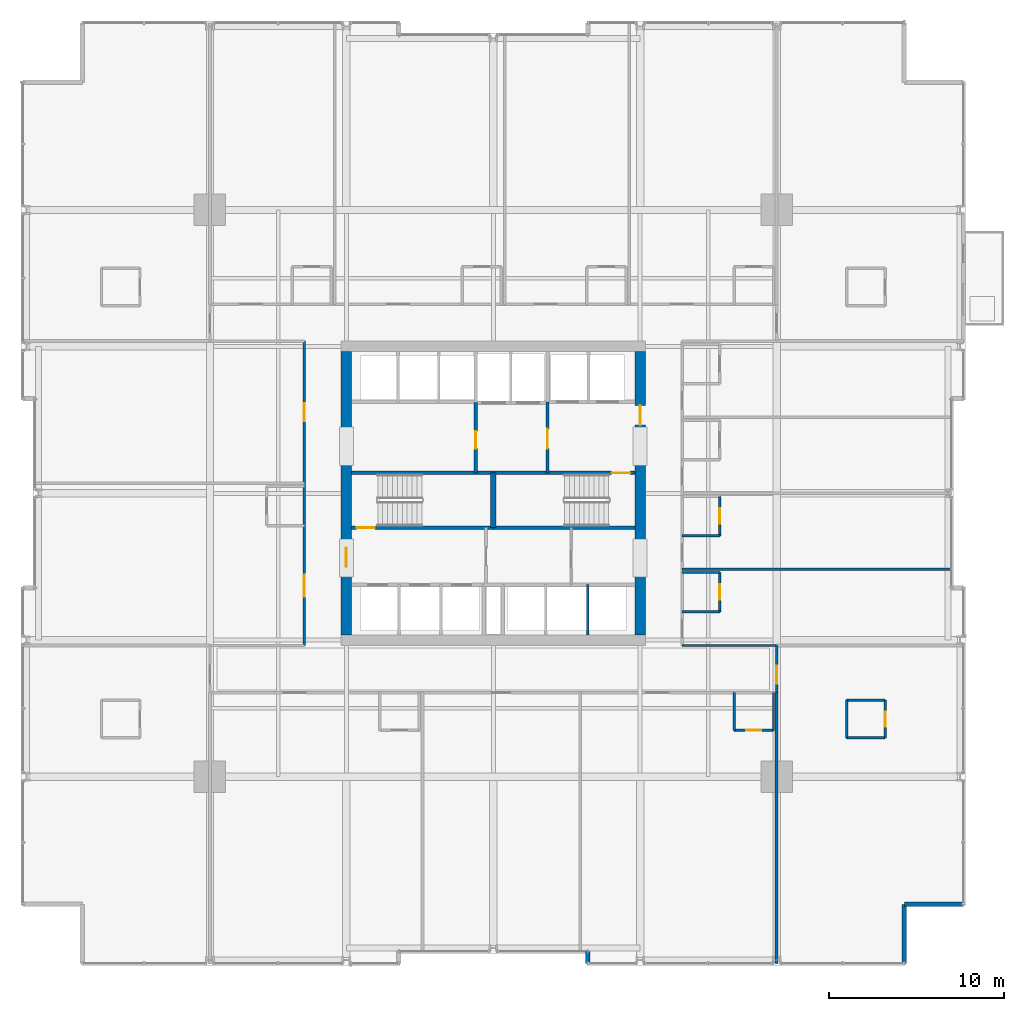
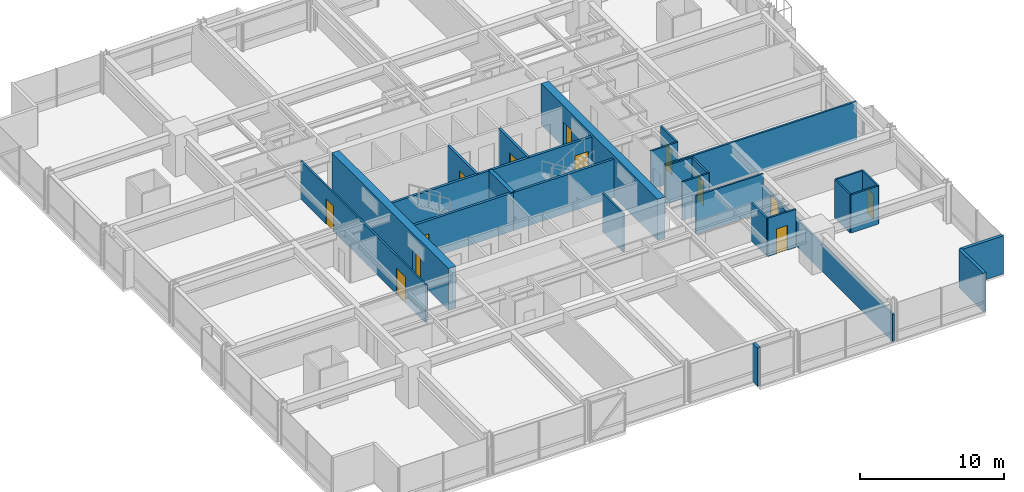
# One storey, part 31 of 38: 30 walls, 13 doors, 13 openings.
"""IFC4 building model written with IfcOpenShell, lengths in metres."""

from ifc_helpers import new_model, si_unit, direction, frame, frame_2d, origin, place, context, subcontext, project, spatial, rectangle, extrude, material, layer, layer_set, type_object, element, fill, save


model = new_model("IFC4")

# Units and contexts
model_context = context("Model", 3, precision=1e-05, world=origin(), true_north=direction((0.0, 1.0)))
body_context = subcontext(model_context, "Body", "Model", "MODEL_VIEW")
ifc_project = project(units=[si_unit("LENGTHUNIT", "METRE"), si_unit("AREAUNIT", "SQUARE_METRE"), si_unit("VOLUMEUNIT", "CUBIC_METRE"), si_unit("PLANEANGLEUNIT", "RADIAN"), si_unit("MASSUNIT", "GRAM", prefix="KILO")], contexts=[model_context])

# Site, building, storey
site_placement = place(None, origin())
site = spatial("IfcSite", under=ifc_project, at=site_placement, CompositionType="ELEMENT")
building_placement = place(site_placement, origin())
building = spatial("IfcBuilding", under=site, at=building_placement, Name="Drelvath Grand Hotel", CompositionType="ELEMENT")
storey_placement = place(building_placement, frame((0.0, 0.0, 47.199951171875)))
storey = spatial("IfcBuildingStorey", under=building, at=storey_placement, Name="L10", CompositionType="ELEMENT", Elevation=47.199951171875)

# Wall, opening, door
ifc_material_1 = material(Name="Concrete C40/50", Category="concrete")
ifc_layer_1 = layer(ifc_material_1, 0.199951171875)
ifc_layer_set_1 = layer_set([ifc_layer_1], Name="Concrete C40/50")
wall_type_1 = type_object("IfcWallType", Name="Core Shaft Fire Wall 200", PredefinedType="SOLIDWALL", material=ifc_layer_set_1)
wall_1_placement = place(storey_placement, frame((-8.10009765625, 25.0400390625, 0.0), z_axis=(0.0, 0.0, 1.0), x_axis=(1.0, 0.0, 0.0)))
wall_1 = element("IfcWall", 1, at=wall_1_placement, inside=storey, type_object=wall_type_1, Name="L10 Stair ST-1 South Wall", PredefinedType="SOLIDWALL", context=body_context, shape_type="SweptSolid", body=[
    extrude(rectangle(XDim=8.10009765625, YDim=0.199951171875, at=frame_2d((4.050048828125, 0.0))), origin(), (0.0, 0.0, 1.0), 3.239990234375),
])
opening_1_placement = place(wall_1_placement, frame((0.280029296875, 0.0, 0.0)))
opening_1 = element("IfcOpeningElement", 2, at=opening_1_placement, cuts=wall_1, Name="Opening D-T1G2-001", PredefinedType="OPENING", context=body_context, shape_type="SweptSolid", body=[
    extrude(rectangle(XDim=1.050048828125, YDim=2.10009765625, at=frame_2d((0.52490234375, 1.050048828125))), frame((0.0, 0.10986328125, 0.0), z_axis=(0.0, -1.0, 0.0), x_axis=(1.0, 0.0, 0.0)), (0.0, 0.0, 1.0), 0.219970703125),
])
ifc_material_2 = material(Name="Painted Steel S275", Category="steel")
door_type_1 = type_object("IfcDoorType", Name="Tower Stairwell Fire Door 1050x2100", OperationType="NOTDEFINED", PredefinedType="DOOR", material=ifc_material_2)
door_1_placement = place(opening_1_placement, origin())
door_1 = element("IfcDoor", 3, at=door_1_placement, inside=storey, type_object=door_type_1, Name="L10 Exit Stair ST-1 Door", OperationType="SINGLE_SWING_LEFT", OverallHeight=2.10009765625, OverallWidth=1.050048828125, PredefinedType="DOOR", context=body_context, shape_type="SweptSolid", body=[
    extrude(rectangle(XDim=1.050048828125, YDim=2.10009765625, at=frame_2d((0.52490234375, 1.050048828125))), frame((0.0, 0.02490234375, 0.0), z_axis=(0.0, -1.0, 0.0), x_axis=(1.0, 0.0, 0.0)), (0.0, 0.0, 1.0), 0.050048828125),
])
fill(opening_1, door_1)

# Walls
for number, where, z_axis, x_axis, name in (
    (4, (-8.10009765625, 28.159912109375, 0.0), (0.0, 0.0, 1.0), (1.0, 0.0, 0.0), "L10 Stair ST-1 North Wall"),
    (5, (0.0, 25.0400390625, 0.0), (0.0, 0.0, 1.0), (1.0, 0.0, 0.0), "L10 Stair ST-2 South Wall"),
):
    element("IfcWall", number, at=place(storey_placement, frame(where, z_axis=z_axis, x_axis=x_axis)), inside=storey, type_object=wall_type_1, Name=name, PredefinedType="SOLIDWALL", context=body_context, shape_type="SweptSolid", body=[
        extrude(rectangle(XDim=8.10009765625, YDim=0.199951171875, at=frame_2d((4.050048828125, 0.0))), origin(), (0.0, 0.0, 1.0), 3.239990234375),
    ])

# Wall, opening, door
wall_2_placement = place(storey_placement, frame((8.10009765625, 28.159912109375, 0.0), z_axis=(0.0, 0.0, 1.0), x_axis=(-1.0, 0.0, 0.0)))
wall_2 = element("IfcWall", 6, at=wall_2_placement, inside=storey, type_object=wall_type_1, Name="L10 Stair ST-2 North Wall", PredefinedType="SOLIDWALL", context=body_context, shape_type="SweptSolid", body=[
    extrude(rectangle(XDim=8.10009765625, YDim=0.199951171875, at=frame_2d((4.050048828125, 0.0))), origin(), (0.0, 0.0, 1.0), 3.239990234375),
])
opening_2_placement = place(wall_2_placement, frame((0.280029296875, 0.0, 0.0)))
opening_2 = element("IfcOpeningElement", 7, at=opening_2_placement, cuts=wall_2, Name="Opening D-T1G2-002", PredefinedType="OPENING", context=body_context, shape_type="SweptSolid", body=[
    extrude(rectangle(XDim=1.050048828125, YDim=2.10009765625, at=frame_2d((0.52490234375, 1.050048828125))), frame((0.0, 0.10986328125, 0.0), z_axis=(0.0, -1.0, 0.0), x_axis=(1.0, 0.0, 0.0)), (0.0, 0.0, 1.0), 0.219970703125),
])
door_2_placement = place(opening_2_placement, origin())
door_2 = element("IfcDoor", 8, at=door_2_placement, inside=storey, type_object=door_type_1, Name="L10 Exit Stair ST-2 Door", OperationType="SINGLE_SWING_LEFT", OverallHeight=2.10009765625, OverallWidth=1.050048828125, PredefinedType="DOOR", context=body_context, shape_type="SweptSolid", body=[
    extrude(rectangle(XDim=1.050048828125, YDim=2.10009765625, at=frame_2d((0.52490234375, 1.050048828125))), frame((0.0, 0.02490234375, 0.0), z_axis=(0.0, -1.0, 0.0), x_axis=(1.0, 0.0, 0.0)), (0.0, 0.0, 1.0), 0.050048828125),
])
fill(opening_2, door_2)

# Walls
ifc_layer_2 = layer(ifc_material_1, 0.300048828125)
ifc_layer_set_2 = layer_set([ifc_layer_2], Name="Concrete C40/50")
wall_type_2 = type_object("IfcWallType", Name="Core Shaft Fire Wall 300", PredefinedType="SOLIDWALL", material=ifc_layer_set_2)
wall_3_placement = place(storey_placement, frame((0.0, 25.0400390625, 0.0), z_axis=(0.0, 0.0, 1.0), x_axis=(0.0, 1.0, 0.0)))
element("IfcWall", 9, at=wall_3_placement, inside=storey, type_object=wall_type_2, Name="L10 Core Stair Divider Wall", PredefinedType="SOLIDWALL", context=body_context, shape_type="SweptSolid", body=[
    extrude(rectangle(XDim=3.119873046875, YDim=0.300048828125, at=frame_2d((1.56005859375, 0.0))), origin(), (0.0, 0.0, 1.0), 3.239990234375),
])
ifc_material_3 = material(Name="Gypsum Fireboard Partition")
ifc_layer_3 = layer(ifc_material_3, 0.1650390625)
ifc_layer_set_3 = layer_set([ifc_layer_3], Name="Gypsum Fireboard Partition")
wall_type_3 = type_object("IfcWallType", Name="Core Shaft Partition 165", PredefinedType="PARTITIONING", material=ifc_layer_set_3)
wall_4_placement = place(storey_placement, frame((5.39990234375, 18.89990234375, 0.0), z_axis=(0.0, 0.0, 1.0), x_axis=(0.0, 1.0, 0.0)))
element("IfcWall", 10, at=wall_4_placement, inside=storey, type_object=wall_type_3, Name="L10 Lift PE-5/6 Divider", PredefinedType="PARTITIONING", context=body_context, shape_type="SweptSolid", body=[
    extrude(rectangle(XDim=2.880126953125, YDim=0.1650390625, at=frame_2d((1.43994140625, 0.0))), origin(), (0.0, 0.0, 1.0), 3.239990234375),
])
ifc_layer_4 = layer(ifc_material_3, 0.135009765625)
ifc_layer_set_4 = layer_set([ifc_layer_4], Name="Gypsum Fireboard Partition")
wall_type_4 = type_object("IfcWallType", Name="Corridor Fire Barrier Wall 135", PredefinedType="PARTITIONING", material=ifc_layer_set_4)
wall_5_placement = place(storey_placement, frame((10.800048828125, 18.300048828125, 0.0), z_axis=(0.0, 0.0, 1.0), x_axis=(1.0, 0.0, 0.0)))
element("IfcWall", 11, at=wall_5_placement, inside=storey, type_object=wall_type_4, Name="L10 SE Spur Inner Wall", PredefinedType="PARTITIONING", context=body_context, shape_type="SweptSolid", body=[
    extrude(rectangle(XDim=5.39990234375, YDim=0.135009765625, at=frame_2d((2.699951171875, 0.0))), origin(), (0.0, 0.0, 1.0), 3.239990234375),
])

# Wall, openings, doors
wall_6_placement = place(storey_placement, frame((-10.800048828125, 18.300048828125, 0.0), z_axis=(0.0, 0.0, 1.0), x_axis=(0.0, 1.0, 0.0)))
wall_6 = element("IfcWall", 12, at=wall_6_placement, inside=storey, type_object=wall_type_4, Name="L10 West Corridor Wall", PredefinedType="PARTITIONING", context=body_context, shape_type="SweptSolid", body=[
    extrude(rectangle(XDim=17.39990234375, YDim=0.135009765625, at=frame_2d((8.699951171875, 0.0))), origin(), (0.0, 0.0, 1.0), 3.239990234375),
])
opening_3_placement = place(wall_6_placement, frame((2.794921875, 0.0, 0.0)))
opening_3 = element("IfcOpeningElement", 13, at=opening_3_placement, cuts=wall_6, Name="Opening D-T1G2-038", PredefinedType="OPENING", context=body_context, shape_type="SweptSolid", body=[
    extrude(rectangle(XDim=1.260009765625, YDim=2.199951171875, at=frame_2d((0.6298828125, 1.10009765625))), frame((0.0, 0.077392578125, 0.0), z_axis=(0.0, -1.0, 0.0), x_axis=(1.0, 0.0, 0.0)), (0.0, 0.0, 1.0), 0.155029296875),
])
opening_4_placement = place(wall_6_placement, frame((12.830078125, 0.0, 0.0)))
opening_4 = element("IfcOpeningElement", 14, at=opening_4_placement, cuts=wall_6, Name="Opening D-T1G2-039", PredefinedType="OPENING", context=body_context, shape_type="SweptSolid", body=[
    extrude(rectangle(XDim=1.02001953125, YDim=2.14990234375, at=frame_2d((0.510009765625, 1.074951171875))), frame((0.0, 0.077392578125, 0.0), z_axis=(0.0, -1.0, 0.0), x_axis=(1.0, 0.0, 0.0)), (0.0, 0.0, 1.0), 0.155029296875),
])
ifc_material_4 = material(Name="Hardwood Walnut Timber", Category="wood")
door_type_2 = type_object("IfcDoorType", Name="Amenity Meeting Fire Door 1020x2150", OperationType="NOTDEFINED", PredefinedType="DOOR", material=ifc_material_4)
door_3_placement = place(opening_4_placement, origin())
door_3 = element("IfcDoor", 15, at=door_3_placement, inside=storey, type_object=door_type_2, Name="L10 Spa Treatment Room Entry Door", OperationType="SINGLE_SWING_RIGHT", OverallHeight=2.14990234375, OverallWidth=1.02001953125, PredefinedType="DOOR", context=body_context, shape_type="SweptSolid", body=[
    extrude(rectangle(XDim=1.02001953125, YDim=2.14990234375, at=frame_2d((0.510009765625, 1.074951171875))), frame((0.0, 0.02490234375, 0.0), z_axis=(0.0, -1.0, 0.0), x_axis=(1.0, 0.0, 0.0)), (0.0, 0.0, 1.0), 0.050048828125),
])
fill(opening_4, door_3)
door_type_3 = type_object("IfcDoorType", Name="Suite Entrance Fire Door 1260x2200", OperationType="NOTDEFINED", PredefinedType="DOOR", material=ifc_material_4)
door_4_placement = place(opening_3_placement, origin())
door_4 = element("IfcDoor", 16, at=door_4_placement, inside=storey, type_object=door_type_3, Name="L10 Corner Suite Entry Door", OperationType="SINGLE_SWING_LEFT", OverallHeight=2.199951171875, OverallWidth=1.260009765625, PredefinedType="DOOR", context=body_context, shape_type="SweptSolid", body=[
    extrude(rectangle(XDim=1.260009765625, YDim=2.199951171875, at=frame_2d((0.6298828125, 1.10009765625))), frame((0.0, 0.02490234375, 0.0), z_axis=(0.0, -1.0, 0.0), x_axis=(1.0, 0.0, 0.0)), (0.0, 0.0, 1.0), 0.050048828125),
])
fill(opening_3, door_4)

# Wall, opening, door
wall_7_placement = place(storey_placement, frame((16.199951171875, 15.60009765625, 0.0), z_axis=(0.0, 0.0, 1.0), x_axis=(0.0, 1.0, 0.0)))
wall_7 = element("IfcWall", 17, at=wall_7_placement, inside=storey, type_object=wall_type_4, Name="L10 South Corridor East End", PredefinedType="PARTITIONING", context=body_context, shape_type="SweptSolid", body=[
    extrude(rectangle(XDim=2.699951171875, YDim=0.135009765625, at=frame_2d((1.35009765625, 0.0))), origin(), (0.0, 0.0, 1.0), 2.29833984375),
])
opening_5_placement = place(wall_7_placement, frame((0.52001953125, 0.0, 0.0)))
opening_5 = element("IfcOpeningElement", 18, at=opening_5_placement, cuts=wall_7, Name="Opening D-T1G2-019", PredefinedType="OPENING", context=body_context, shape_type="SweptSolid", body=[
    extrude(rectangle(XDim=1.02001953125, YDim=2.14990234375, at=frame_2d((0.510009765625, 1.074951171875))), frame((0.0, 0.077392578125, 0.0), z_axis=(0.0, -1.0, 0.0), x_axis=(1.0, 0.0, 0.0)), (0.0, 0.0, 1.0), 0.155029296875),
])
door_5_placement = place(opening_5_placement, origin())
door_5 = element("IfcDoor", 19, at=door_5_placement, inside=storey, type_object=door_type_2, Name="L10 Corner Suite Entry Door", OperationType="SINGLE_SWING_RIGHT", OverallHeight=2.14990234375, OverallWidth=1.02001953125, PredefinedType="DOOR", context=body_context, shape_type="SweptSolid", body=[
    extrude(rectangle(XDim=1.02001953125, YDim=2.14990234375, at=frame_2d((0.510009765625, 1.074951171875))), frame((0.0, 0.02490234375, 0.0), z_axis=(0.0, -1.0, 0.0), x_axis=(1.0, 0.0, 0.0)), (0.0, 0.0, 1.0), 0.050048828125),
])
fill(opening_5, door_5)

# Walls
ifc_material_5 = material(Name="Moisture-Resistant Gypsum Board")
ifc_layer_5 = layer(ifc_material_5, 0.139892578125)
ifc_layer_set_5 = layer_set([ifc_layer_5], Name="Moisture-Resistant Gypsum Board")
wall_type_5 = type_object("IfcWallType", Name="En-Suite Plumbing Wall 140", PredefinedType="PLUMBINGWALL", material=ifc_layer_set_5)
for number, where, z_axis, x_axis, name in (
    (20, (20.199951171875, 13.02001953125, 0.0), (0.0, 0.0, 1.0), (1.0, 0.0, 0.0), "L10 Corner En-Suite South"),
    (21, (20.199951171875, 15.169921875, 0.0), (0.0, 0.0, 1.0), (1.0, 0.0, 0.0), "L10 Corner En-Suite North"),
):
    element("IfcWall", number, at=place(storey_placement, frame(where, z_axis=z_axis, x_axis=x_axis)), inside=storey, type_object=wall_type_5, Name=name, PredefinedType="PLUMBINGWALL", context=body_context, shape_type="SweptSolid", body=[
        extrude(rectangle(XDim=2.199951171875, YDim=0.139892578125, at=frame_2d((1.10009765625, 0.0))), origin(), (0.0, 0.0, 1.0), 3.239990234375),
    ])
wall_8_placement = place(storey_placement, frame((20.199951171875, 13.02001953125, 0.0), z_axis=(0.0, 0.0, 1.0), x_axis=(0.0, 1.0, 0.0)))
element("IfcWall", 22, at=wall_8_placement, inside=storey, type_object=wall_type_5, Name="L10 Corner En-Suite West", PredefinedType="PLUMBINGWALL", context=body_context, shape_type="SweptSolid", body=[
    extrude(rectangle(XDim=2.14990234375, YDim=0.139892578125, at=frame_2d((1.074951171875, 0.0))), origin(), (0.0, 0.0, 1.0), 3.239990234375),
])

# Wall, opening, door
wall_9_placement = place(storey_placement, frame((22.39990234375, 13.02001953125, 0.0), z_axis=(0.0, 0.0, 1.0), x_axis=(0.0, 1.0, 0.0)))
wall_9 = element("IfcWall", 23, at=wall_9_placement, inside=storey, type_object=wall_type_5, Name="L10 Corner En-Suite East", PredefinedType="PLUMBINGWALL", context=body_context, shape_type="SweptSolid", body=[
    extrude(rectangle(XDim=2.14990234375, YDim=0.139892578125, at=frame_2d((1.074951171875, 0.0))), origin(), (0.0, 0.0, 1.0), 3.239990234375),
])
opening_6_placement = place(wall_9_placement, frame((0.6201171875, 0.0, 0.0)))
opening_6 = element("IfcOpeningElement", 24, at=opening_6_placement, cuts=wall_9, Name="Opening D-T1G2-018", PredefinedType="OPENING", context=body_context, shape_type="SweptSolid", body=[
    extrude(rectangle(XDim=0.8798828125, YDim=2.10009765625, at=frame_2d((0.43994140625, 1.050048828125))), frame((0.0, 0.079833984375, 0.0), z_axis=(0.0, -1.0, 0.0), x_axis=(1.0, 0.0, 0.0)), (0.0, 0.0, 1.0), 0.159912109375),
])
door_type_4 = type_object("IfcDoorType", Name="En-Suite Bathroom Door 880x2100", OperationType="NOTDEFINED", PredefinedType="DOOR", material=ifc_material_4)
door_6_placement = place(opening_6_placement, origin())
door_6 = element("IfcDoor", 25, at=door_6_placement, inside=storey, type_object=door_type_4, Name="L10 Corner En-Suite Door", OperationType="SINGLE_SWING_LEFT", OverallHeight=2.10009765625, OverallWidth=0.8798828125, PredefinedType="DOOR", context=body_context, shape_type="SweptSolid", body=[
    extrude(rectangle(XDim=0.8798828125, YDim=2.10009765625, at=frame_2d((0.43994140625, 1.050048828125))), frame((0.0, 0.02490234375, 0.0), z_axis=(0.0, -1.0, 0.0), x_axis=(1.0, 0.0, 0.0)), (0.0, 0.0, 1.0), 0.050048828125),
])
fill(opening_6, door_6)

# Walls
wall_10_placement = place(storey_placement, frame((13.77001953125, 15.60009765625, 0.0), z_axis=(0.0, 0.0, 1.0), x_axis=(0.0, -1.0, 0.0)))
element("IfcWall", 26, at=wall_10_placement, inside=storey, type_object=wall_type_5, Name="L10 En-Suite Left Wall", PredefinedType="PLUMBINGWALL", context=body_context, shape_type="SweptSolid", body=[
    extrude(rectangle(XDim=2.150146484375, YDim=0.139892578125, at=frame_2d((1.0751953125, 0.0))), origin(), (0.0, 0.0, 1.0), 3.239990234375),
])
wall_11_placement = place(storey_placement, frame((16.02001953125, 15.60009765625, 0.0), z_axis=(0.0, 0.0, 1.0), x_axis=(0.0, -1.0, 0.0)))
element("IfcWall", 27, at=wall_11_placement, inside=storey, type_object=wall_type_5, Name="L10 En-Suite Right Wall", PredefinedType="PLUMBINGWALL", context=body_context, shape_type="SweptSolid", body=[
    extrude(rectangle(XDim=2.150146484375, YDim=0.139892578125, at=frame_2d((1.0751953125, 0.0))), origin(), (0.0, 0.0, 1.0), 2.29833984375),
])

# Wall, opening, door
wall_12_placement = place(storey_placement, frame((13.77001953125, 13.449951171875, 0.0), z_axis=(0.0, 0.0, 1.0), x_axis=(1.0, 0.0, 0.0)))
wall_12 = element("IfcWall", 28, at=wall_12_placement, inside=storey, type_object=wall_type_5, Name="L10 En-Suite Front Wall", PredefinedType="PLUMBINGWALL", context=body_context, shape_type="SweptSolid", body=[
    extrude(rectangle(XDim=2.25, YDim=0.139892578125, at=frame_2d((1.125, 0.0))), origin(), (0.0, 0.0, 1.0), 3.239990234375),
])
opening_7_placement = place(wall_12_placement, frame((0.68505859375, 0.0, 0.0)))
opening_7 = element("IfcOpeningElement", 29, at=opening_7_placement, cuts=wall_12, Name="Opening D-T1G2-027", PredefinedType="OPENING", context=body_context, shape_type="SweptSolid", body=[
    extrude(rectangle(XDim=0.8798828125, YDim=2.10009765625, at=frame_2d((0.43994140625, 1.050048828125))), frame((0.0, 0.079833984375, 0.0), z_axis=(0.0, -1.0, 0.0), x_axis=(1.0, 0.0, 0.0)), (0.0, 0.0, 1.0), 0.159912109375),
])
door_7_placement = place(opening_7_placement, origin())
door_7 = element("IfcDoor", 30, at=door_7_placement, inside=storey, type_object=door_type_4, Name="L10 En-Suite Bathroom Door", OperationType="SINGLE_SWING_RIGHT", OverallHeight=2.10009765625, OverallWidth=0.8798828125, PredefinedType="DOOR", context=body_context, shape_type="SweptSolid", body=[
    extrude(rectangle(XDim=0.8798828125, YDim=2.10009765625, at=frame_2d((0.43994140625, 1.050048828125))), frame((0.0, 0.02490234375, 0.0), z_axis=(0.0, -1.0, 0.0), x_axis=(1.0, 0.0, 0.0)), (0.0, 0.0, 1.0), 0.050048828125),
])
fill(opening_7, door_7)

# Walls
for number, where, z_axis, x_axis, name in (
    (31, (10.800048828125, 20.219970703125, 0.0), (0.0, 0.0, 1.0), (1.0, 0.0, 0.0), "L10 En-Suite Left Wall"),
    (32, (10.800048828125, 22.469970703125, 0.0), (0.0, 0.0, 1.0), (1.0, 0.0, 0.0), "L10 En-Suite Right Wall"),
):
    element("IfcWall", number, at=place(storey_placement, frame(where, z_axis=z_axis, x_axis=x_axis)), inside=storey, type_object=wall_type_5, Name=name, PredefinedType="PLUMBINGWALL", context=body_context, shape_type="SweptSolid", body=[
        extrude(rectangle(XDim=2.14990234375, YDim=0.139892578125, at=frame_2d((1.074951171875, 0.0))), origin(), (0.0, 0.0, 1.0), 3.239990234375),
    ])

# Wall, opening, door
wall_13_placement = place(storey_placement, frame((12.949951171875, 20.219970703125, 0.0), z_axis=(0.0, 0.0, 1.0), x_axis=(0.0, 1.0, 0.0)))
wall_13 = element("IfcWall", 33, at=wall_13_placement, inside=storey, type_object=wall_type_5, Name="L10 En-Suite Front Wall", PredefinedType="PLUMBINGWALL", context=body_context, shape_type="SweptSolid", body=[
    extrude(rectangle(XDim=2.25, YDim=0.139892578125, at=frame_2d((1.125, 0.0))), origin(), (0.0, 0.0, 1.0), 3.239990234375),
])
opening_8_placement = place(wall_13_placement, frame((0.68505859375, 0.0, 0.0)))
opening_8 = element("IfcOpeningElement", 34, at=opening_8_placement, cuts=wall_13, Name="Opening D-T1G2-040", PredefinedType="OPENING", context=body_context, shape_type="SweptSolid", body=[
    extrude(rectangle(XDim=0.8798828125, YDim=2.10009765625, at=frame_2d((0.43994140625, 1.050048828125))), frame((0.0, 0.079833984375, 0.0), z_axis=(0.0, -1.0, 0.0), x_axis=(1.0, 0.0, 0.0)), (0.0, 0.0, 1.0), 0.159912109375),
])
door_8_placement = place(opening_8_placement, origin())
door_8 = element("IfcDoor", 35, at=door_8_placement, inside=storey, type_object=door_type_4, Name="L10 En-Suite Bathroom Door", OperationType="SINGLE_SWING_LEFT", OverallHeight=2.10009765625, OverallWidth=0.8798828125, PredefinedType="DOOR", context=body_context, shape_type="SweptSolid", body=[
    extrude(rectangle(XDim=0.8798828125, YDim=2.10009765625, at=frame_2d((0.43994140625, 1.050048828125))), frame((0.0, 0.02490234375, 0.0), z_axis=(0.0, -1.0, 0.0), x_axis=(1.0, 0.0, 0.0)), (0.0, 0.0, 1.0), 0.050048828125),
])
fill(opening_8, door_8)

# Wall
wall_14_placement = place(storey_placement, frame((10.800048828125, 24.570068359375, 0.0), z_axis=(0.0, 0.0, 1.0), x_axis=(1.0, 0.0, 0.0)))
element("IfcWall", 36, at=wall_14_placement, inside=storey, type_object=wall_type_5, Name="L10 En-Suite Left Wall", PredefinedType="PLUMBINGWALL", context=body_context, shape_type="SweptSolid", body=[
    extrude(rectangle(XDim=2.14990234375, YDim=0.139892578125, at=frame_2d((1.074951171875, 0.0))), origin(), (0.0, 0.0, 1.0), 3.239990234375),
])

# Wall, opening, door
wall_15_placement = place(storey_placement, frame((12.949951171875, 24.570068359375, 0.0), z_axis=(0.0, 0.0, 1.0), x_axis=(0.0, 1.0, 0.0)))
wall_15 = element("IfcWall", 37, at=wall_15_placement, inside=storey, type_object=wall_type_5, Name="L10 En-Suite Front Wall", PredefinedType="PLUMBINGWALL", context=body_context, shape_type="SweptSolid", body=[
    extrude(rectangle(XDim=2.25, YDim=0.139892578125, at=frame_2d((1.125, 0.0))), origin(), (0.0, 0.0, 1.0), 3.239990234375),
])
opening_9_placement = place(wall_15_placement, frame((0.68505859375, 0.0, 0.0)))
opening_9 = element("IfcOpeningElement", 38, at=opening_9_placement, cuts=wall_15, Name="Opening D-T1G2-042", PredefinedType="OPENING", context=body_context, shape_type="SweptSolid", body=[
    extrude(rectangle(XDim=0.8798828125, YDim=2.10009765625, at=frame_2d((0.43994140625, 1.050048828125))), frame((0.0, 0.079833984375, 0.0), z_axis=(0.0, -1.0, 0.0), x_axis=(1.0, 0.0, 0.0)), (0.0, 0.0, 1.0), 0.159912109375),
])
door_9_placement = place(opening_9_placement, origin())
door_9 = element("IfcDoor", 39, at=door_9_placement, inside=storey, type_object=door_type_4, Name="L10 En-Suite Bathroom Door", OperationType="SINGLE_SWING_LEFT", OverallHeight=2.10009765625, OverallWidth=0.8798828125, PredefinedType="DOOR", context=body_context, shape_type="SweptSolid", body=[
    extrude(rectangle(XDim=0.8798828125, YDim=2.10009765625, at=frame_2d((0.43994140625, 1.050048828125))), frame((0.0, 0.02490234375, 0.0), z_axis=(0.0, -1.0, 0.0), x_axis=(1.0, 0.0, 0.0)), (0.0, 0.0, 1.0), 0.050048828125),
])
fill(opening_9, door_9)

ifc_layer_6 = layer(ifc_material_3, 0.179931640625)
ifc_layer_set_6 = layer_set([ifc_layer_6], Name="Gypsum Fireboard Partition")
wall_type_6 = type_object("IfcWallType", Name="FSAE Smoke Lobby Fire Wall 180", PredefinedType="SOLIDWALL", material=ifc_layer_set_6)
wall_16_placement = place(storey_placement, frame((3.10009765625, 28.159912109375, 0.0), z_axis=(0.0, 0.0, 1.0), x_axis=(0.0, 1.0, 0.0)))
wall_16 = element("IfcWall", 40, at=wall_16_placement, inside=storey, type_object=wall_type_6, Name="L10 FSAE Smoke Lobby West Wall", PredefinedType="SOLIDWALL", context=body_context, shape_type="SweptSolid", body=[
    extrude(rectangle(XDim=4.06005859375, YDim=0.179931640625, at=frame_2d((2.030029296875, 0.0))), origin(), (0.0, 0.0, 1.0), 3.239990234375),
])
opening_10_placement = place(wall_16_placement, frame((1.39990234375, 0.0, 0.0)))
opening_10 = element("IfcOpeningElement", 41, at=opening_10_placement, cuts=wall_16, Name="Opening D-T1G2-005", PredefinedType="OPENING", context=body_context, shape_type="SweptSolid", body=[
    extrude(rectangle(XDim=1.1201171875, YDim=2.10009765625, at=frame_2d((0.56005859375, 1.050048828125))), frame((0.0, 0.099853515625, 0.0), z_axis=(0.0, -1.0, 0.0), x_axis=(1.0, 0.0, 0.0)), (0.0, 0.0, 1.0), 0.199951171875),
])
door_type_5 = type_object("IfcDoorType", Name="FSAE Smoke Lobby Fire Door 1120x2100", OperationType="NOTDEFINED", PredefinedType="DOOR", material=ifc_material_2)
door_10_placement = place(opening_10_placement, origin())
door_10 = element("IfcDoor", 42, at=door_10_placement, inside=storey, type_object=door_type_5, Name="L10 FSAE Lobby Service Vestibule Door", OperationType="SINGLE_SWING_RIGHT", OverallHeight=2.10009765625, OverallWidth=1.1201171875, PredefinedType="DOOR", context=body_context, shape_type="SweptSolid", body=[
    extrude(rectangle(XDim=1.1201171875, YDim=2.10009765625, at=frame_2d((0.56005859375, 1.050048828125))), frame((0.0, 0.02490234375, 0.0), z_axis=(0.0, -1.0, 0.0), x_axis=(1.0, 0.0, 0.0)), (0.0, 0.0, 1.0), 0.050048828125),
])
fill(opening_10, door_10)

wall_17_placement = place(storey_placement, frame((-1.0, 28.159912109375, 0.0), z_axis=(0.0, 0.0, 1.0), x_axis=(0.0, 1.0, 0.0)))
wall_17 = element("IfcWall", 43, at=wall_17_placement, inside=storey, type_object=wall_type_6, Name="L10 Service Vestibule West Wall", PredefinedType="SOLIDWALL", context=body_context, shape_type="SweptSolid", body=[
    extrude(rectangle(XDim=4.02001953125, YDim=0.179931640625, at=frame_2d((2.010009765625, 0.0))), origin(), (0.0, 0.0, 1.0), 3.239990234375),
])
opening_11_placement = place(wall_17_placement, frame((1.39990234375, 0.0, 0.0)))
opening_11 = element("IfcOpeningElement", 44, at=opening_11_placement, cuts=wall_17, Name="Opening D-T1G2-009", PredefinedType="OPENING", context=body_context, shape_type="SweptSolid", body=[
    extrude(rectangle(XDim=1.0, YDim=2.10009765625, at=frame_2d((0.5, 1.050048828125))), frame((0.0, 0.099853515625, 0.0), z_axis=(0.0, -1.0, 0.0), x_axis=(1.0, 0.0, 0.0)), (0.0, 0.0, 1.0), 0.199951171875),
])
door_type_6 = type_object("IfcDoorType", Name="Core Service Fire Door 1000x2100", OperationType="NOTDEFINED", PredefinedType="DOOR", material=ifc_material_2)
door_11_placement = place(opening_11_placement, origin())
door_11 = element("IfcDoor", 45, at=door_11_placement, inside=storey, type_object=door_type_6, Name="L10 Service Vestibule West Door", OperationType="SINGLE_SWING_LEFT", OverallHeight=2.10009765625, OverallWidth=1.0, PredefinedType="DOOR", context=body_context, shape_type="SweptSolid", body=[
    extrude(rectangle(XDim=1.0, YDim=2.10009765625, at=frame_2d((0.5, 1.050048828125))), frame((0.0, 0.02490234375, 0.0), z_axis=(0.0, -1.0, 0.0), x_axis=(1.0, 0.0, 0.0)), (0.0, 0.0, 1.0), 0.050048828125),
])
fill(opening_11, door_11)

# Wall
ifc_material_6 = material(Name="Gypsum Acoustic Partition")
ifc_layer_7 = layer(ifc_material_6, 0.14990234375)
ifc_layer_set_7 = layer_set([ifc_layer_7], Name="Gypsum Acoustic Partition")
wall_type_7 = type_object("IfcWallType", Name="Guestroom Demising Wall 150", PredefinedType="PARTITIONING", material=ifc_layer_set_7)
wall_18_placement = place(storey_placement, frame((10.800048828125, 22.64990234375, 0.0), z_axis=(0.0, 0.0, 1.0), x_axis=(1.0, 0.0, 0.0)))
element("IfcWall", 46, at=wall_18_placement, inside=storey, type_object=wall_type_7, Name="L10 East Demising 1", PredefinedType="PARTITIONING", context=body_context, shape_type="SweptSolid", body=[
    extrude(rectangle(XDim=15.39990234375, YDim=0.14990234375, at=frame_2d((7.699951171875, 0.0))), origin(), (0.0, 0.0, 1.0), 3.239990234375),
])

# Wall, opening, door
ifc_material_7 = material(Name="Concrete f'c 70 MPa", Category="concrete")
ifc_layer_8 = layer(ifc_material_7, 0.60009765625)
ifc_layer_set_8 = layer_set([ifc_layer_8], Name="Concrete f'c 70 MPa")
wall_type_8 = type_object("IfcWallType", Name="Lower Core RC Shear Wall 600", PredefinedType="SHEAR", material=ifc_layer_set_8)
wall_19_placement = place(storey_placement, frame((8.39990234375, 35.10009765625, 0.0), z_axis=(0.0, 0.0, 1.0), x_axis=(0.0, -1.0, 0.0)))
wall_19 = element("IfcWall", 47, at=wall_19_placement, inside=storey, type_object=wall_type_8, Name="L10 Central Core Shear Wall E", PredefinedType="SHEAR", context=body_context, shape_type="SweptSolid", body=[
    extrude(rectangle(XDim=16.2001953125, YDim=0.60009765625, at=frame_2d((8.10009765625, 0.0))), origin(), (0.0, 0.0, 1.0), 3.5),
])
opening_12_placement = place(wall_19_placement, frame((3.080078125, 0.0, 0.0)))
opening_12 = element("IfcOpeningElement", 48, at=opening_12_placement, cuts=wall_19, Name="Opening D-T1G2-006", PredefinedType="OPENING", context=body_context, shape_type="SweptSolid", body=[
    extrude(rectangle(XDim=1.1201171875, YDim=2.10009765625, at=frame_2d((0.56005859375, 1.050048828125))), frame((0.0, 0.31005859375, 0.0), z_axis=(0.0, -1.0, 0.0), x_axis=(1.0, 0.0, 0.0)), (0.0, 0.0, 1.0), 0.6201171875),
])
door_12_placement = place(opening_12_placement, origin())
door_12 = element("IfcDoor", 49, at=door_12_placement, inside=storey, type_object=door_type_5, Name="L10 FSAE Lobby East Corridor Door", OperationType="SINGLE_SWING_LEFT", OverallHeight=2.10009765625, OverallWidth=1.1201171875, PredefinedType="DOOR", context=body_context, shape_type="SweptSolid", body=[
    extrude(rectangle(XDim=1.1201171875, YDim=2.10009765625, at=frame_2d((0.56005859375, 1.050048828125))), frame((0.0, 0.02490234375, 0.0), z_axis=(0.0, -1.0, 0.0), x_axis=(1.0, 0.0, 0.0)), (0.0, 0.0, 1.0), 0.050048828125),
])
fill(opening_12, door_12)

wall_20_placement = place(storey_placement, frame((-8.39990234375, 18.89990234375, 0.0), z_axis=(0.0, 0.0, 1.0), x_axis=(0.0, 1.0, 0.0)))
wall_20 = element("IfcWall", 50, at=wall_20_placement, inside=storey, type_object=wall_type_8, Name="L10 Central Core Shear Wall W", PredefinedType="SHEAR", context=body_context, shape_type="SweptSolid", body=[
    extrude(rectangle(XDim=16.2001953125, YDim=0.60009765625, at=frame_2d((8.10009765625, 0.0))), origin(), (0.0, 0.0, 1.0), 3.5),
])
opening_13_placement = place(wall_20_placement, frame((3.89990234375, 0.0, 0.0)))
opening_13 = element("IfcOpeningElement", 51, at=opening_13_placement, cuts=wall_20, Name="Opening D-T1G2-014", PredefinedType="OPENING", context=body_context, shape_type="SweptSolid", body=[
    extrude(rectangle(XDim=1.080078125, YDim=2.0400390625, at=frame_2d((0.5400390625, 1.02001953125))), frame((0.0, 0.31005859375, 0.0), z_axis=(0.0, -1.0, 0.0), x_axis=(1.0, 0.0, 0.0)), (0.0, 0.0, 1.0), 0.6201171875),
])
door_type_7 = type_object("IfcDoorType", Name="Core Corridor Fire Door 1080x2100", OperationType="NOTDEFINED", PredefinedType="DOOR", material=ifc_material_2)
door_13_placement = place(opening_13_placement, origin())
door_13 = element("IfcDoor", 52, at=door_13_placement, inside=storey, type_object=door_type_7, Name="L10 Low-Rise Lobby West Door", OperationType="SINGLE_SWING_LEFT", OverallHeight=2.0400390625, OverallWidth=1.080078125, PredefinedType="DOOR", context=body_context, shape_type="SweptSolid", body=[
    extrude(rectangle(XDim=1.080078125, YDim=2.0400390625, at=frame_2d((0.5400390625, 1.02001953125))), frame((0.0, 0.02490234375, 0.0), z_axis=(0.0, -1.0, 0.0), x_axis=(1.0, 0.0, 0.0)), (0.0, 0.0, 1.0), 0.050048828125),
])
fill(opening_13, door_13)

# Walls
ifc_layer_9 = layer(ifc_material_6, 0.1650390625)
ifc_layer_set_9 = layer_set([ifc_layer_9], Name="Gypsum Acoustic Partition")
wall_type_9 = type_object("IfcWallType", Name="Suite Demising Wall 165", PredefinedType="PARTITIONING", material=ifc_layer_set_9)
wall_21_placement = place(storey_placement, frame((16.199951171875, 0.1201171875, 0.0), z_axis=(0.0, 0.0, 1.0), x_axis=(0.0, 1.0, 0.0)))
element("IfcWall", 53, at=wall_21_placement, inside=storey, type_object=wall_type_9, Name="L10 SE Wing Boundary Wall", PredefinedType="PARTITIONING", context=body_context, shape_type="SweptSolid", body=[
    extrude(rectangle(XDim=15.47998046875, YDim=0.1650390625, at=frame_2d((7.739990234375, 0.0))), origin(), (0.0, 0.0, 1.0), 2.29833984375),
])
ifc_material_8 = material(Name="Pale-Metal Insulated Aluminium Spandrel Assembly", Category="aluminium")
ifc_layer_10 = layer(ifc_material_8, 0.239990234375)
ifc_layer_set_10 = layer_set([ifc_layer_10], Name="Pale-Metal Insulated Aluminium Spandrel Assembly")
wall_type_10 = type_object("IfcWallType", Name="Tower Insulated Metal Spandrel Closure Wall 240", PredefinedType="STANDARD", material=ifc_layer_set_10)
for number, where, z_axis, x_axis, name in (
    (54, (26.8798828125, 3.5, 0.0), (0.0, 0.0, 1.0), (-1.0, 0.0, 0.0), "L10 Notched Corner Return Spandrel Wall CSE1"),
    (55, (23.5, 3.5, 0.0), (0.0, 0.0, 1.0), (0.0, -1.0, 0.0), "L10 Notched Corner Return Spandrel Wall CSE2"),
):
    element("IfcWall", number, at=place(storey_placement, frame(where, z_axis=z_axis, x_axis=x_axis)), inside=storey, type_object=wall_type_10, Name=name, PredefinedType="STANDARD", context=body_context, shape_type="SweptSolid", body=[
        extrude(rectangle(XDim=3.3798828125, YDim=0.239990234375, at=frame_2d((1.68994140625, 0.0))), origin(), (0.0, 0.0, 1.0), 3.239990234375),
    ])
wall_22_placement = place(storey_placement, frame((5.39990234375, 0.1201171875, 0.0), z_axis=(0.0, 0.0, 1.0), x_axis=(0.0, 1.0, 0.0)))
element("IfcWall", 56, at=wall_22_placement, inside=storey, type_object=wall_type_10, Name="L10 Notched Corner Return Spandrel Wall RS1", PredefinedType="STANDARD", context=body_context, shape_type="SweptSolid", body=[
    extrude(rectangle(XDim=0.679931640625, YDim=0.239990234375, at=frame_2d((0.33984375, 0.0))), origin(), (0.0, 0.0, 1.0), 3.239990234375),
])

save(model, "model.ifc")
